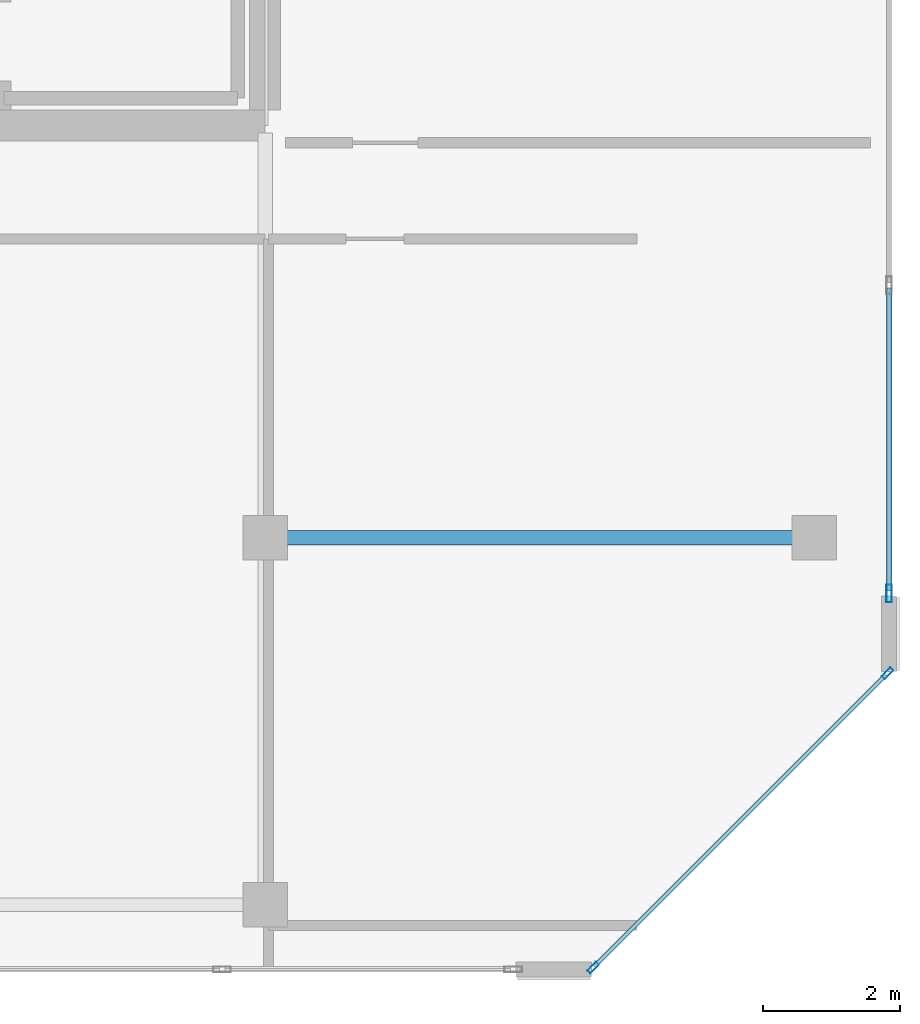
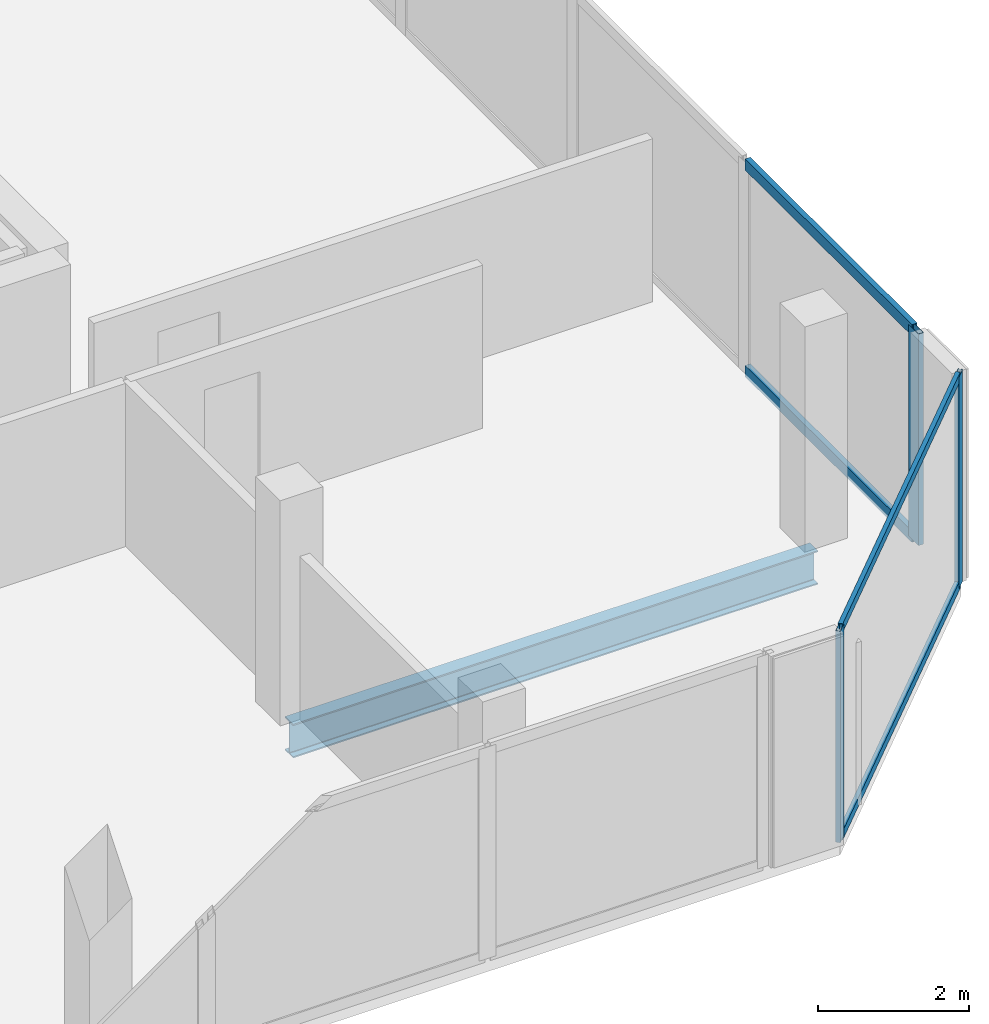
# One storey, part 17 of 28: 7 members, 1 beam, 2 elements without a shape of their own.
"""IFC4 building model written with IfcOpenShell, lengths in metres."""

from ifc_helpers import new_model, si_unit, direction, frame, origin, origin_2d, place, context, subcontext, project, spatial, hollow_rectangle, i_section, extrude, material, layer, layer_set, material_profile, profile_set, type_object, element, aggregate, save


model = new_model("IFC4")

# Units and contexts
model_context = context("Model", 3, precision=1e-05, world=origin(), true_north=direction((0.0, 1.0)))
body_context = subcontext(model_context, "Body", "Model", "MODEL_VIEW")
ifc_project = project(units=[si_unit("LENGTHUNIT", "METRE"), si_unit("AREAUNIT", "SQUARE_METRE"), si_unit("VOLUMEUNIT", "CUBIC_METRE"), si_unit("PLANEANGLEUNIT", "RADIAN"), si_unit("MASSUNIT", "GRAM", prefix="KILO")], contexts=[model_context])

# Site, building, storey
site_placement = place(None, origin())
site = spatial("IfcSite", under=ifc_project, at=site_placement, CompositionType="ELEMENT")
building_placement = place(site_placement, origin())
building = spatial("IfcBuilding", under=site, at=building_placement, Name="Tanjung Sevakor Pilgrim Tower", CompositionType="ELEMENT")
storey_placement = place(building_placement, frame((0.0, 0.0, 257.070068359375)))
storey = spatial("IfcBuildingStorey", under=building, at=storey_placement, Name="L72", CompositionType="ELEMENT", Elevation=257.070068359375)

# Beam
ifc_material_1 = material(Name="Steel S355J2", Category="steel")
ifc_material_profile_1 = material_profile(ifc_material_1, i_section(OverallWidth=0.2119140625, OverallDepth=0.54443359375, WebThickness=0.0126953125, FlangeThickness=0.021240234375, FilletRadius=0.0126953125, at=origin_2d()))
ifc_profile_set_1 = profile_set([ifc_material_profile_1], Name="Steel S355J2")
beam_type = type_object("IfcBeamType", Name="BM-B-G5-UB_533x210x122", PredefinedType="BEAM", material=ifc_profile_set_1)
beam_placement = place(storey_placement, frame((90.0, 18.60009765625, -0.4921875), z_axis=(1.0, 0.0, 0.0), x_axis=(0.0, 1.0, 0.0)))
element("IfcBeam", 1, at=beam_placement, inside=storey, type_object=beam_type, Name="L72 East Peak Wing Girder Y18.6", PredefinedType="BEAM", context=body_context, shape_type="SweptSolid", body=[
    extrude(i_section(OverallWidth=0.2119140625, OverallDepth=0.54443359375, WebThickness=0.0126953125, FlangeThickness=0.021240234375, FilletRadius=0.0126953125, at=origin_2d()), origin(), (0.0, 0.0, 1.0), 8.0),
])

# Curtain wall, members
ifc_material_2 = material(Name="Aluminium 6063-T6 and Low-E Glass", Category="aluminium")
ifc_layer_1 = layer(ifc_material_2, 0.179931640625)
ifc_layer_set_1 = layer_set([ifc_layer_1], Name="CW-SYS-CHAM")
curtain_wall_type_1 = type_object("IfcCurtainWallType", Name="CW-SYS-CHAM", PredefinedType="NOTDEFINED", material=ifc_layer_set_1)
curtain_wall_1_placement = place(storey_placement, origin())
curtain_wall_1 = element("IfcCurtainWall", 2, at=curtain_wall_1_placement, inside=storey, type_object=curtain_wall_type_1, Name="L72 Curtain Wall CW-CHM-L72-EAST-1", PredefinedType="NOTDEFINED")
ifc_material_3 = material(Name="Aluminium 6063-T6", Category="aluminium")
ifc_material_profile_2 = material_profile(ifc_material_3, hollow_rectangle(XDim=0.06494140625, YDim=0.179931640625, WallThickness=0.00390625, at=origin_2d()))
ifc_profile_set_2 = profile_set([ifc_material_profile_2], Name="Aluminium 6063-T6")
member_type_1 = type_object("IfcMemberType", Name="TYPE-CWM-1", PredefinedType="MULLION", material=ifc_profile_set_2)
member_1_placement = place(storey_placement, frame((94.77734375, 12.3330078125, 0.0), z_axis=(0.0, 0.0, 1.0), x_axis=(-0.707106781187, 0.707106781187, 0.0)))
member_1 = element("IfcMember", 3, at=member_1_placement, type_object=member_type_1, Name="CW-CHM mullion 1", PredefinedType="MULLION", context=body_context, shape_type="SweptSolid", body=[
    extrude(hollow_rectangle(XDim=0.06494140625, YDim=0.179931640625, WallThickness=0.00390625, at=origin_2d()), origin(), (0.0, 0.0, 1.0), 3.409912109375),
])
member_2_placement = place(storey_placement, frame((99.067138671875, 16.62255859375, 0.0), z_axis=(0.0, 0.0, 1.0), x_axis=(-0.707106781187, 0.707106781187, 0.0)))
member_2 = element("IfcMember", 4, at=member_2_placement, type_object=member_type_1, Name="CW-CHM mullion 2", PredefinedType="MULLION", context=body_context, shape_type="SweptSolid", body=[
    extrude(hollow_rectangle(XDim=0.06494140625, YDim=0.179931640625, WallThickness=0.00390625, at=origin_2d()), origin(), (0.0, 0.0, 1.0), 3.409912109375),
])

# Curtain wall, member
ifc_material_4 = material(Name="Aluminium 6063-T6 and Low-E Glass", Category="aluminium")
ifc_layer_2 = layer(ifc_material_4, 0.219970703125)
ifc_layer_set_2 = layer_set([ifc_layer_2], Name="CW-SYS-CRNE")
curtain_wall_type_2 = type_object("IfcCurtainWallType", Name="CW-SYS-CRNE", PredefinedType="NOTDEFINED", material=ifc_layer_set_2)
curtain_wall_2_placement = place(storey_placement, origin())
curtain_wall_2 = element("IfcCurtainWall", 5, at=curtain_wall_2_placement, inside=storey, type_object=curtain_wall_type_2, Name="L72 Curtain Wall CW-CRN-L72-EAST-2-1", PredefinedType="NOTDEFINED")
ifc_material_5 = material(Name="Aluminium 6063-T6", Category="aluminium")
ifc_material_profile_3 = material_profile(ifc_material_5, hollow_rectangle(XDim=0.080078125, YDim=0.260009765625, WallThickness=0.0048828125, at=origin_2d()))
ifc_profile_set_3 = profile_set([ifc_material_profile_3], Name="Aluminium 6063-T6")
member_type_2 = type_object("IfcMemberType", Name="TYPE-CWM-3", PredefinedType="MULLION", material=ifc_profile_set_3)
member_3_placement = place(storey_placement, frame((99.090087890625, 17.78564453125, 0.0), z_axis=(0.0, 0.0, 1.0), x_axis=(-1.0, 0.0, 0.0)))
member_3 = element("IfcMember", 6, at=member_3_placement, type_object=member_type_2, Name="CW-CRE mullion 1", PredefinedType="MULLION", context=body_context, shape_type="SweptSolid", body=[
    extrude(hollow_rectangle(XDim=0.080078125, YDim=0.260009765625, WallThickness=0.0048828125, at=origin_2d()), origin(), (0.0, 0.0, 1.0), 3.409912109375),
])

# Member
ifc_material_6 = material(Name="Aluminium 6063-T6", Category="aluminium")
ifc_material_profile_4 = material_profile(ifc_material_6, hollow_rectangle(XDim=0.06494140625, YDim=0.139892578125, WallThickness=0.00390625, at=origin_2d()))
ifc_profile_set_4 = profile_set([ifc_material_profile_4], Name="Aluminium 6063-T6")
member_type_3 = type_object("IfcMemberType", Name="TYPE-CWT-1", PredefinedType="USERDEFINED", material=ifc_profile_set_4)
member_4_placement = place(storey_placement, frame((94.80029296875, 12.35595703125, 0.032470703125), z_axis=(0.707106781187, 0.707106781187, 0.0), x_axis=(-0.707106781187, 0.707106781187, 0.0)))
member_4 = element("IfcMember", 7, at=member_4_placement, type_object=member_type_3, Name="CW-CHM transom 1.1", ObjectType="TRANSOM", PredefinedType="USERDEFINED", context=body_context, shape_type="SweptSolid", body=[
    extrude(hollow_rectangle(XDim=0.06494140625, YDim=0.139892578125, WallThickness=0.00390625, at=origin_2d()), origin(), (0.0, 0.0, 1.0), 6.00146484375),
])

member_5_placement = place(storey_placement, frame((94.80029296875, 12.35595703125, 3.37744140625), z_axis=(0.707106781187, 0.707106781187, 0.0), x_axis=(-0.707106781187, 0.707106781187, 0.0)))
member_5 = element("IfcMember", 8, at=member_5_placement, type_object=member_type_3, Name="CW-CHM transom 1.2", ObjectType="TRANSOM", PredefinedType="USERDEFINED", context=body_context, shape_type="SweptSolid", body=[
    extrude(hollow_rectangle(XDim=0.06494140625, YDim=0.139892578125, WallThickness=0.00390625, at=origin_2d()), origin(), (0.0, 0.0, 1.0), 6.00146484375),
])

aggregate(curtain_wall_1, [member_1, member_2, member_4, member_5])

ifc_material_7 = material(Name="Aluminium 6063-T6", Category="aluminium")
ifc_material_profile_5 = material_profile(ifc_material_7, hollow_rectangle(XDim=0.080078125, YDim=0.179931640625, WallThickness=0.0048828125, at=origin_2d()))
ifc_profile_set_5 = profile_set([ifc_material_profile_5], Name="Aluminium 6063-T6")
member_type_4 = type_object("IfcMemberType", Name="TYPE-CWT-3", PredefinedType="USERDEFINED", material=ifc_profile_set_5)
member_6_placement = place(storey_placement, frame((99.090087890625, 17.82568359375, 0.0400390625), z_axis=(0.0, 1.0, 0.0), x_axis=(-1.0, 0.0, 0.0)))
member_6 = element("IfcMember", 9, at=member_6_placement, type_object=member_type_4, Name="CW-CRE transom 1.1", ObjectType="TRANSOM", PredefinedType="USERDEFINED", context=body_context, shape_type="SweptSolid", body=[
    extrude(hollow_rectangle(XDim=0.080078125, YDim=0.179931640625, WallThickness=0.0048828125, at=origin_2d()), origin(), (0.0, 0.0, 1.0), 4.40966796875),
])

member_7_placement = place(storey_placement, frame((99.090087890625, 17.82568359375, 3.369873046875), z_axis=(0.0, 1.0, 0.0), x_axis=(-1.0, 0.0, 0.0)))
member_7 = element("IfcMember", 10, at=member_7_placement, type_object=member_type_4, Name="CW-CRE transom 1.2", ObjectType="TRANSOM", PredefinedType="USERDEFINED", context=body_context, shape_type="SweptSolid", body=[
    extrude(hollow_rectangle(XDim=0.080078125, YDim=0.179931640625, WallThickness=0.0048828125, at=origin_2d()), origin(), (0.0, 0.0, 1.0), 4.40966796875),
])

aggregate(curtain_wall_2, [member_3, member_6, member_7])

save(model, "model.ifc")
